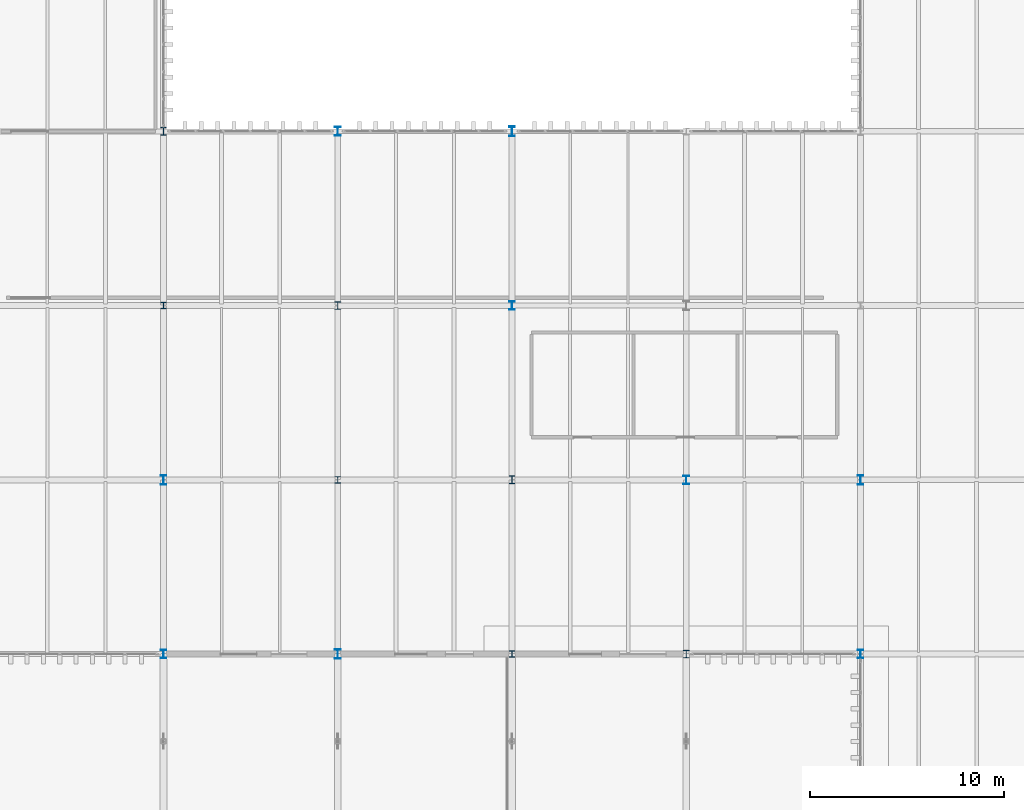
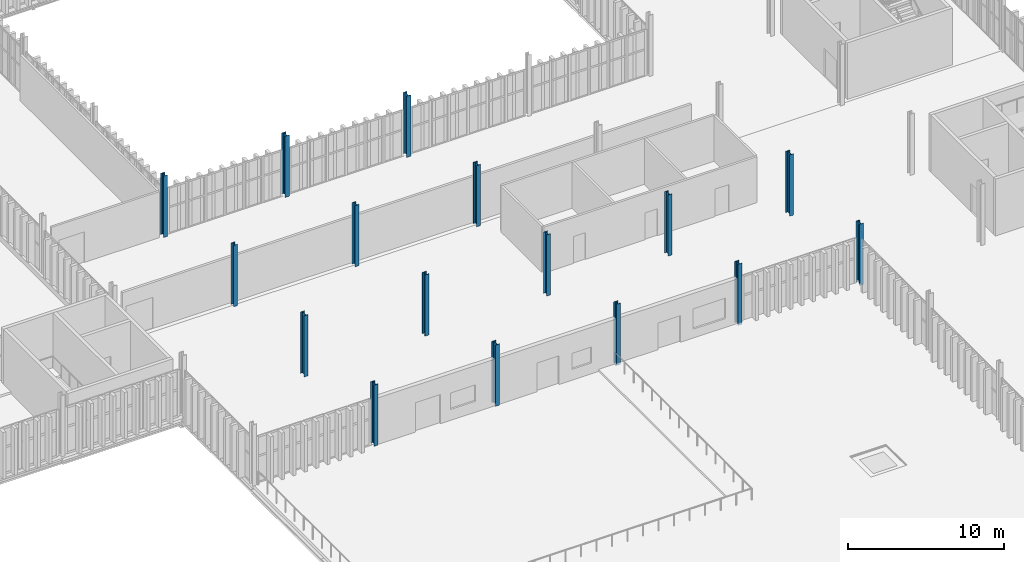
# One storey, part 9 of 196: 16 columns.
"""IFC4 building model written with IfcOpenShell, lengths in metres."""

from ifc_helpers import new_model, si_unit, direction, frame, origin, origin_2d, place, context, subcontext, project, spatial, i_section, extrude, material, material_profile, profile_set, type_object, element, save


model = new_model("IFC4")

# Units and contexts
model_context = context("Model", 3, precision=1e-05, world=origin(), true_north=direction((0.0, 1.0)))
body_context = subcontext(model_context, "Body", "Model", "MODEL_VIEW")
ifc_project = project(units=[si_unit("LENGTHUNIT", "METRE"), si_unit("AREAUNIT", "SQUARE_METRE"), si_unit("VOLUMEUNIT", "CUBIC_METRE"), si_unit("PLANEANGLEUNIT", "RADIAN"), si_unit("MASSUNIT", "GRAM", prefix="KILO")], contexts=[model_context])

# Site, building, storey
site_placement = place(None, origin())
site = spatial("IfcSite", under=ifc_project, at=site_placement, CompositionType="ELEMENT")
building_placement = place(site_placement, origin())
building = spatial("IfcBuilding", under=site, at=building_placement, Name="Barlavento Convention Centre", CompositionType="ELEMENT")
storey_placement = place(building_placement, frame((0.0, 0.0, 18.0)))
storey = spatial("IfcBuildingStorey", under=building, at=storey_placement, Name="L03", CompositionType="ELEMENT", Elevation=18.0)

# Columns
ifc_material = material(Name="Steel S355", Category="steel")
ifc_material_profile_1 = material_profile(ifc_material, i_section(OverallWidth=0.300048828125, OverallDepth=0.340087890625, WebThickness=0.011962890625, FlangeThickness=0.021484375, FilletRadius=0.027099609375, at=origin_2d()), Name="HEB 340")
ifc_profile_set_1 = profile_set([ifc_material_profile_1], Name="Steel S355")
column_type_1 = type_object("IfcColumnType", Name="STR-COL-HEB340", PredefinedType="COLUMN", material=ifc_profile_set_1)
for number, where, z_axis, x_axis, name in (
    (1, (135.0, 54.0, 0.0), (0.0, 0.0, 1.0), (1.0, 0.0, 0.0), "L03 column SC12"),
    (2, (144.0, 45.0, 0.0), (0.0, 0.0, 1.0), (1.0, 0.0, 0.0), "L03 column SC12"),
    (3, (153.0, 36.0, 0.0), (0.0, 0.0, 1.0), (1.0, 0.0, 0.0), "L03 column SC12"),
):
    element("IfcColumn", number, at=place(storey_placement, frame(where, z_axis=z_axis, x_axis=x_axis)), inside=storey, type_object=column_type_1, Name=name, PredefinedType="COLUMN", context=body_context, shape_type="SweptSolid", body=[
        extrude(i_section(OverallWidth=0.300048828125, OverallDepth=0.340087890625, WebThickness=0.011962890625, FlangeThickness=0.021484375, FilletRadius=0.027099609375, at=origin_2d()), origin(), (0.0, 0.0, 1.0), 4.800048828125),
    ])
ifc_material_profile_2 = material_profile(ifc_material, i_section(OverallWidth=0.300048828125, OverallDepth=0.39990234375, WebThickness=0.013427734375, FlangeThickness=0.02392578125, FilletRadius=0.027099609375, at=origin_2d()), Name="HEB 400")
ifc_profile_set_2 = profile_set([ifc_material_profile_2], Name="Steel S355")
column_type_2 = type_object("IfcColumnType", Name="STR-COL-HEB400", PredefinedType="COLUMN", material=ifc_profile_set_2)
for number, where, z_axis, x_axis, name in (
    (4, (135.0, 63.0, 0.0), (0.0, 0.0, 1.0), (1.0, 0.0, 0.0), "L03 column SC11"),
    (5, (144.0, 54.0, 0.0), (0.0, 0.0, 1.0), (1.0, 0.0, 0.0), "L03 column SC11"),
    (6, (153.0, 45.0, 0.0), (0.0, 0.0, 1.0), (1.0, 0.0, 0.0), "L03 column SC11"),
    (7, (162.0, 36.0, 0.0), (0.0, 0.0, 1.0), (1.0, 0.0, 0.0), "L03 column SC11"),
):
    element("IfcColumn", number, at=place(storey_placement, frame(where, z_axis=z_axis, x_axis=x_axis)), inside=storey, type_object=column_type_2, Name=name, PredefinedType="COLUMN", context=body_context, shape_type="SweptSolid", body=[
        extrude(i_section(OverallWidth=0.300048828125, OverallDepth=0.39990234375, WebThickness=0.013427734375, FlangeThickness=0.02392578125, FilletRadius=0.027099609375, at=origin_2d()), origin(), (0.0, 0.0, 1.0), 4.800048828125),
    ])
ifc_material_profile_3 = material_profile(ifc_material, i_section(OverallWidth=0.300048828125, OverallDepth=0.449951171875, WebThickness=0.013916015625, FlangeThickness=0.02587890625, FilletRadius=0.027099609375, at=origin_2d()), Name="HEB 450")
ifc_profile_set_3 = profile_set([ifc_material_profile_3], Name="Steel S355")
column_type_3 = type_object("IfcColumnType", Name="STR-COL-HEB450", PredefinedType="COLUMN", material=ifc_profile_set_3)
for number, where, z_axis, x_axis, name in (
    (8, (135.0, 36.0, 0.0), (0.0, 0.0, 1.0), (1.0, 0.0, 0.0), "L03 column SC10"),
    (9, (144.0, 63.0, 0.0), (0.0, 0.0, 1.0), (1.0, 0.0, 0.0), "L03 column SC10"),
    (10, (153.0, 54.0, 0.0), (0.0, 0.0, 1.0), (1.0, 0.0, 0.0), "L03 column SC10"),
    (11, (162.0, 45.0, 0.0), (0.0, 0.0, 1.0), (1.0, 0.0, 0.0), "L03 column SC10"),
    (12, (171.0, 36.0, 0.0), (0.0, 0.0, 1.0), (1.0, 0.0, 0.0), "L03 column SC10"),
):
    element("IfcColumn", number, at=place(storey_placement, frame(where, z_axis=z_axis, x_axis=x_axis)), inside=storey, type_object=column_type_3, Name=name, PredefinedType="COLUMN", context=body_context, shape_type="SweptSolid", body=[
        extrude(i_section(OverallWidth=0.300048828125, OverallDepth=0.449951171875, WebThickness=0.013916015625, FlangeThickness=0.02587890625, FilletRadius=0.027099609375, at=origin_2d()), origin(), (0.0, 0.0, 1.0), 4.800048828125),
    ])
ifc_material_profile_4 = material_profile(ifc_material, i_section(OverallWidth=0.300048828125, OverallDepth=0.5, WebThickness=0.014404296875, FlangeThickness=0.028076171875, FilletRadius=0.027099609375, at=origin_2d()), Name="HEB 500")
ifc_profile_set_4 = profile_set([ifc_material_profile_4], Name="Steel S355")
column_type_4 = type_object("IfcColumnType", Name="STR-COL-HEB500", PredefinedType="COLUMN", material=ifc_profile_set_4)
for number, where, z_axis, x_axis, name in (
    (13, (135.0, 45.0, 0.0), (0.0, 0.0, 1.0), (1.0, 0.0, 0.0), "L03 column SC09"),
    (14, (144.0, 36.0, 0.0), (0.0, 0.0, 1.0), (1.0, 0.0, 0.0), "L03 column SC09"),
    (15, (153.0, 63.0, 0.0), (0.0, 0.0, 1.0), (1.0, 0.0, 0.0), "L03 column SC09"),
    (16, (171.0, 45.0, 0.0), (0.0, 0.0, 1.0), (1.0, 0.0, 0.0), "L03 column SC09"),
):
    element("IfcColumn", number, at=place(storey_placement, frame(where, z_axis=z_axis, x_axis=x_axis)), inside=storey, type_object=column_type_4, Name=name, PredefinedType="COLUMN", context=body_context, shape_type="SweptSolid", body=[
        extrude(i_section(OverallWidth=0.300048828125, OverallDepth=0.5, WebThickness=0.014404296875, FlangeThickness=0.028076171875, FilletRadius=0.027099609375, at=origin_2d()), origin(), (0.0, 0.0, 1.0), 4.800048828125),
    ])

save(model, "model.ifc")
